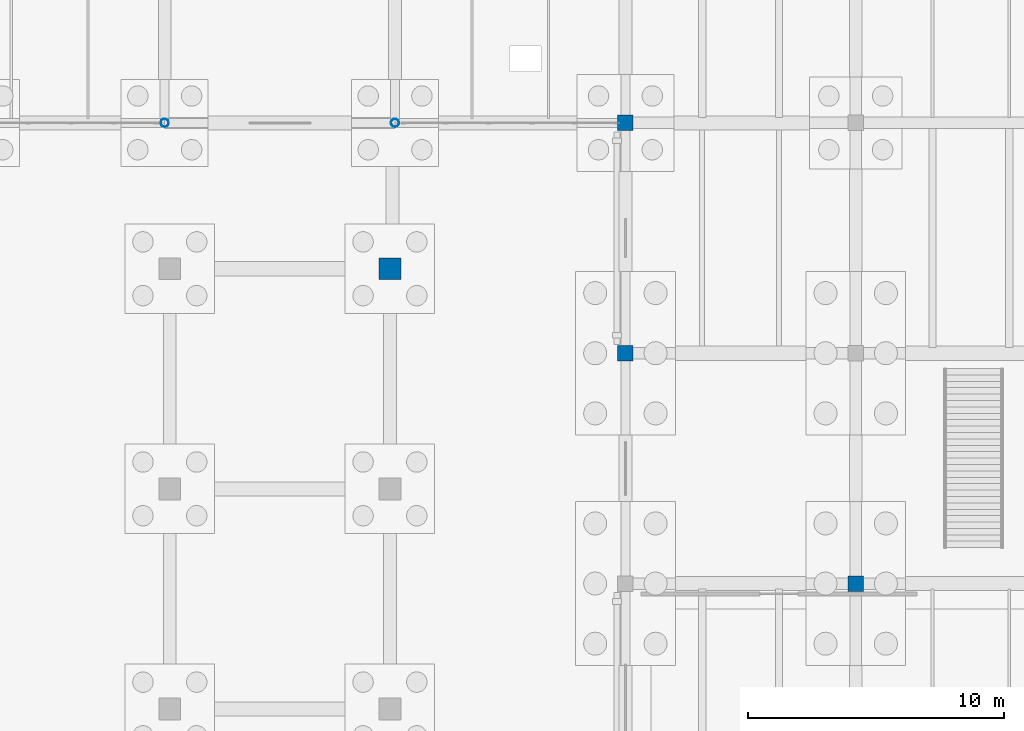
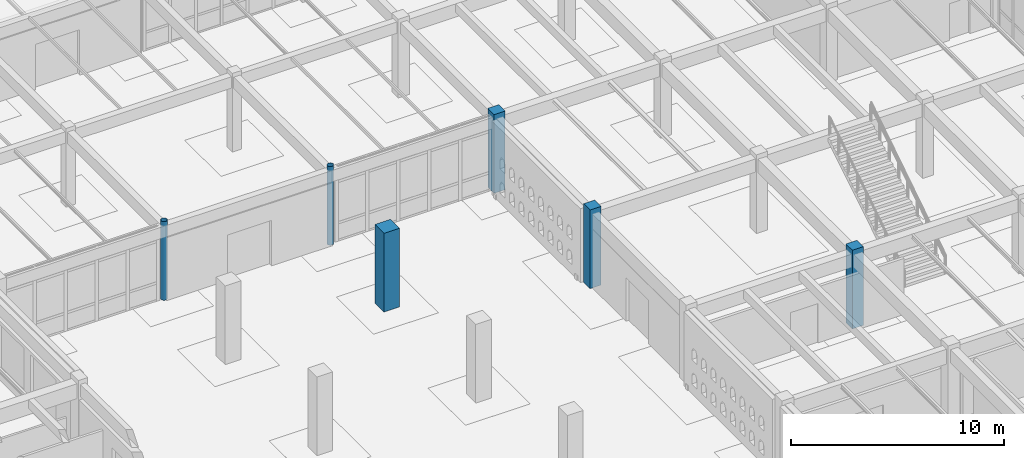
# One storey, part 19 of 186: 6 columns.
"""IFC4 building model written with IfcOpenShell, lengths in metres."""

from ifc_helpers import new_model, si_unit, direction, frame, origin, origin_2d, place, context, subcontext, project, spatial, rectangle, hollow_circle, extrude, material, material_profile, profile_set, type_object, element, save


model = new_model("IFC4")

# Units and contexts
model_context = context("Model", 3, precision=1e-05, world=origin(), true_north=direction((0.0, 1.0)))
body_context = subcontext(model_context, "Body", "Model", "MODEL_VIEW")
ifc_project = project(units=[si_unit("LENGTHUNIT", "METRE"), si_unit("AREAUNIT", "SQUARE_METRE"), si_unit("VOLUMEUNIT", "CUBIC_METRE"), si_unit("PLANEANGLEUNIT", "RADIAN"), si_unit("MASSUNIT", "GRAM", prefix="KILO")], contexts=[model_context])

# Site, building, storey
site_placement = place(None, origin())
site = spatial("IfcSite", under=ifc_project, at=site_placement, CompositionType="ELEMENT")
building_placement = place(site_placement, origin())
building = spatial("IfcBuilding", under=site, at=building_placement, Name="Ornek Quay Market", CompositionType="ELEMENT")
storey_placement = place(building_placement, origin())
storey = spatial("IfcBuildingStorey", under=building, at=storey_placement, Name="L00", CompositionType="ELEMENT", Elevation=0.0)

# Columns
ifc_material_1 = material(Name="Steel S355", Category="steel")
ifc_material_profile_1 = material_profile(ifc_material_1, hollow_circle(Radius=0.161865234375, WallThickness=0.012451171875, at=origin_2d()), Name="CHS 323.9x12.5", Category="steel")
ifc_profile_set_1 = profile_set([ifc_material_profile_1], Name="Steel S355")
column_type_1 = type_object("IfcColumnType", Name="COL-PORCH-CHS323", PredefinedType="PILASTER", material=ifc_profile_set_1)
for number, where, z_axis, x_axis, name in (
    (1, (135.0, 92.0, 0.0), (0.0, 0.0, 1.0), (1.0, 0.0, 0.0), "Column C-ST1-005"),
    (2, (144.0, 92.0, 0.0), (0.0, 0.0, 1.0), (1.0, 0.0, 0.0), "Column C-ST1-007"),
):
    element("IfcColumn", number, at=place(storey_placement, frame(where, z_axis=z_axis, x_axis=x_axis)), inside=storey, type_object=column_type_1, Name=name, PredefinedType="PILASTER", context=body_context, shape_type="SweptSolid", body=[
        extrude(hollow_circle(Radius=0.161865234375, WallThickness=0.012451171875, at=origin_2d()), origin(), (0.0, 0.0, 1.0), 4.5),
    ])
ifc_material_2 = material(Name="Concrete C40/50", Category="concrete")
ifc_material_profile_2 = material_profile(ifc_material_2, rectangle(XDim=0.60009765625, YDim=0.60009765625, at=origin_2d()), Name="RC 600x600", Category="concrete")
ifc_profile_set_2 = profile_set([ifc_material_profile_2], Name="Concrete C40/50")
column_type_2 = type_object("IfcColumnType", Name="COL-RC-600x600", PredefinedType="COLUMN", material=ifc_profile_set_2)
for number, where, z_axis, x_axis, name in (
    (3, (153.0, 83.0, 0.0), (0.0, 0.0, 1.0), (1.0, 0.0, 0.0), "Column C-60-025"),
    (4, (153.0, 92.0, 0.0), (0.0, 0.0, 1.0), (1.0, 0.0, 0.0), "Column C-60-026"),
    (5, (162.0, 74.0, 0.0), (0.0, 0.0, 1.0), (1.0, 0.0, 0.0), "Column C-60-029"),
):
    element("IfcColumn", number, at=place(storey_placement, frame(where, z_axis=z_axis, x_axis=x_axis)), inside=storey, type_object=column_type_2, Name=name, PredefinedType="COLUMN", context=body_context, shape_type="SweptSolid", body=[
        extrude(rectangle(XDim=0.60009765625, YDim=0.60009765625, at=origin_2d()), origin(), (0.0, 0.0, 1.0), 4.5),
    ])
ifc_material_profile_3 = material_profile(ifc_material_2, rectangle(XDim=0.85009765625, YDim=0.85009765625, at=origin_2d()), Name="RC 850x850", Category="concrete")
ifc_profile_set_3 = profile_set([ifc_material_profile_3], Name="Concrete C40/50")
column_type_3 = type_object("IfcColumnType", Name="COL-UMB-850x850", PredefinedType="COLUMN", material=ifc_profile_set_3)
column_placement = place(storey_placement, frame((143.800048828125, 86.300048828125, 0.0), z_axis=(0.0, 0.0, 1.0), x_axis=(1.0, 0.0, 0.0)))
element("IfcColumn", 6, at=column_placement, inside=storey, type_object=column_type_3, Name="Umbrella column UMB-E14 (L00)", PredefinedType="COLUMN", context=body_context, shape_type="SweptSolid", body=[
    extrude(rectangle(XDim=0.85009765625, YDim=0.85009765625, at=origin_2d()), origin(), (0.0, 0.0, 1.0), 4.5),
])

save(model, "model.ifc")
